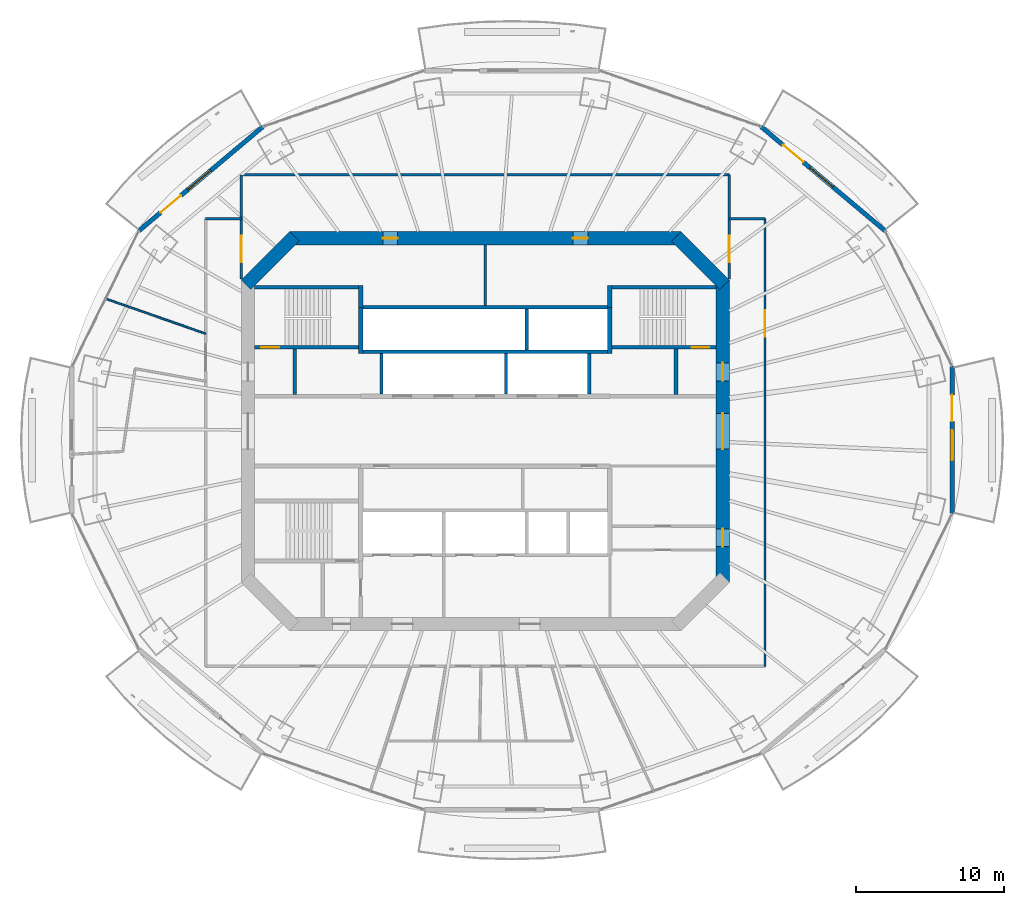
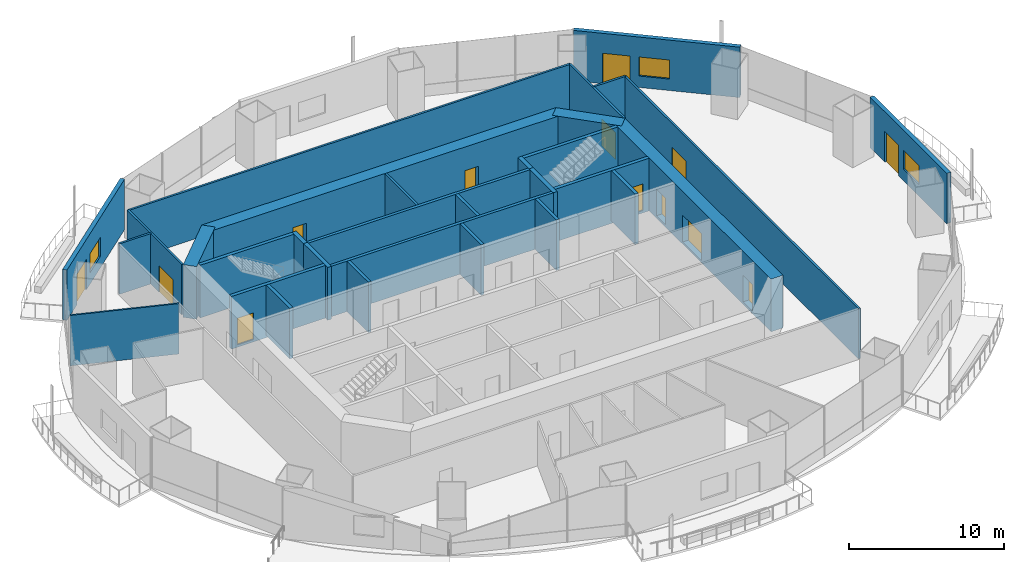
# One storey, part 12 of 19: 31 walls, 13 doors, 3 windows, 16 openings.
"""IFC4 building model written with IfcOpenShell, lengths in metres."""

from ifc_helpers import new_model, si_unit, direction, frame, frame_2d, origin, place, context, subcontext, project, spatial, rectangle, extrude, material, layer, layer_set, type_object, element, fill, save


model = new_model("IFC4")

# Units and contexts
model_context = context("Model", 3, precision=1e-05, world=origin(), true_north=direction((0.0, 1.0)))
body_context = subcontext(model_context, "Body", "Model", "MODEL_VIEW")
ifc_project = project(units=[si_unit("LENGTHUNIT", "METRE"), si_unit("AREAUNIT", "SQUARE_METRE"), si_unit("VOLUMEUNIT", "CUBIC_METRE"), si_unit("PLANEANGLEUNIT", "RADIAN"), si_unit("MASSUNIT", "GRAM", prefix="KILO")], contexts=[model_context])

# Site, building, storey
site_placement = place(None, origin())
site = spatial("IfcSite", under=ifc_project, at=site_placement, CompositionType="ELEMENT")
building_placement = place(site_placement, origin())
building = spatial("IfcBuilding", under=site, at=building_placement, Name="Marenthal Gate Tower", CompositionType="ELEMENT")
storey_placement = place(building_placement, frame((0.0, 0.0, 244.050048828125)))
storey = spatial("IfcBuildingStorey", under=building, at=storey_placement, Name="L54", CompositionType="ELEMENT", Elevation=244.050048828125)

# Wall, openings, doors
ifc_material_1 = material(Name="Concrete 60 MPa", Category="concrete")
ifc_layer_1 = layer(ifc_material_1, 0.89990234375)
ifc_layer_set_1 = layer_set([ifc_layer_1], Name="Core shear wall 900")
wall_type_1 = type_object("IfcWallType", Name="Core shear wall 900", PredefinedType="SHEAR", material=ifc_layer_set_1)
wall_1_placement = place(storey_placement, frame((16.0, -10.186279296875, -0.179931640625), z_axis=(0.0, 0.0, 1.0), x_axis=(0.0, 1.0, 0.0)))
wall_1 = element("IfcWall", 1, at=wall_1_placement, inside=storey, type_object=wall_type_1, Name="Core wall 02", PredefinedType="SHEAR", context=body_context, shape_type="SweptSolid", body=[
    extrude(rectangle(XDim=20.37255859375, YDim=0.89990234375, at=frame_2d((10.186279296875, 0.0))), origin(), (0.0, 0.0, 1.0), 4.14990234375),
])
opening_1_placement = place(wall_1_placement, frame((8.986328125, 0.0, 0.179931640625)))
opening_1 = element("IfcOpeningElement", 2, at=opening_1_placement, cuts=wall_1, Name="Opening D003.02", PredefinedType="OPENING", context=body_context, shape_type="SweptSolid", body=[
    extrude(rectangle(XDim=2.39990234375, YDim=2.10009765625, at=frame_2d((1.199951171875, 1.050048828125))), frame((0.0, 0.4599609375, 0.0), z_axis=(0.0, -1.0, 0.0), x_axis=(1.0, 0.0, 0.0)), (0.0, 0.0, 1.0), 0.919921875),
])
opening_2_placement = place(wall_1_placement, frame((13.58642578125, 0.0, 0.179931640625)))
opening_2 = element("IfcOpeningElement", 3, at=opening_2_placement, cuts=wall_1, Name="Opening D001.05", PredefinedType="OPENING", context=body_context, shape_type="SweptSolid", body=[
    extrude(rectangle(XDim=1.199951171875, YDim=2.10009765625, at=frame_2d((0.60009765625, 1.050048828125))), frame((0.0, 0.4599609375, 0.0), z_axis=(0.0, -1.0, 0.0), x_axis=(1.0, 0.0, 0.0)), (0.0, 0.0, 1.0), 0.919921875),
])
opening_3_placement = place(wall_1_placement, frame((2.39990234375, 0.0, 0.179931640625)))
opening_3 = element("IfcOpeningElement", 4, at=opening_3_placement, cuts=wall_1, Name="Opening D006.01", PredefinedType="OPENING", context=body_context, shape_type="SweptSolid", body=[
    extrude(rectangle(XDim=1.199951171875, YDim=2.10009765625, at=frame_2d((0.60009765625, 1.050048828125))), frame((0.0, 0.4599609375, 0.0), z_axis=(0.0, -1.0, 0.0), x_axis=(1.0, 0.0, 0.0)), (0.0, 0.0, 1.0), 0.919921875),
])
ifc_material_2 = material(Name="Steel fire door", Category="steel")
door_type_1 = type_object("IfcDoorType", Name="Double fire door FD 45 2400 x 2100", OperationType="DOUBLE_DOOR_SINGLE_SWING", PredefinedType="DOOR", material=ifc_material_2)
door_1_placement = place(opening_1_placement, origin())
door_1 = element("IfcDoor", 5, at=door_1_placement, inside=storey, type_object=door_type_1, Name="Door D003.02", OperationType="DOUBLE_DOOR_SINGLE_SWING", OverallHeight=2.10009765625, OverallWidth=2.39990234375, PredefinedType="DOOR", context=body_context, shape_type="SweptSolid", body=[
    extrude(rectangle(XDim=2.39990234375, YDim=2.10009765625, at=frame_2d((1.199951171875, 1.050048828125))), frame((0.0, 0.02490234375, 0.0), z_axis=(0.0, -1.0, 0.0), x_axis=(1.0, 0.0, 0.0)), (0.0, 0.0, 1.0), 0.050048828125),
])
fill(opening_1, door_1)
ifc_material_3 = material(Name="Steel fire door", Category="steel")
door_type_2 = type_object("IfcDoorType", Name="Fire door FD 45 1200 x 2100", OperationType="NOTDEFINED", PredefinedType="DOOR", material=ifc_material_3)
door_2_placement = place(opening_3_placement, origin())
door_2 = element("IfcDoor", 6, at=door_2_placement, inside=storey, type_object=door_type_2, Name="Door D006.01", OperationType="SINGLE_SWING_RIGHT", OverallHeight=2.10009765625, OverallWidth=1.199951171875, PredefinedType="DOOR", context=body_context, shape_type="SweptSolid", body=[
    extrude(rectangle(XDim=1.199951171875, YDim=2.10009765625, at=frame_2d((0.60009765625, 1.050048828125))), frame((0.0, 0.02490234375, 0.0), z_axis=(0.0, -1.0, 0.0), x_axis=(1.0, 0.0, 0.0)), (0.0, 0.0, 1.0), 0.050048828125),
])
fill(opening_3, door_2)
ifc_material_4 = material(Name="Steel fire door", Category="steel")
door_type_3 = type_object("IfcDoorType", Name="Fire door FD 90 1200 x 2100", OperationType="NOTDEFINED", PredefinedType="DOOR", material=ifc_material_4)
door_3_placement = place(opening_2_placement, origin())
door_3 = element("IfcDoor", 7, at=door_3_placement, inside=storey, type_object=door_type_3, Name="Door D001.05", OperationType="SINGLE_SWING_RIGHT", OverallHeight=2.10009765625, OverallWidth=1.199951171875, PredefinedType="DOOR", context=body_context, shape_type="SweptSolid", body=[
    extrude(rectangle(XDim=1.199951171875, YDim=2.10009765625, at=frame_2d((0.60009765625, 1.050048828125))), frame((0.0, 0.02490234375, 0.0), z_axis=(0.0, -1.0, 0.0), x_axis=(1.0, 0.0, 0.0)), (0.0, 0.0, 1.0), 0.050048828125),
])
fill(opening_2, door_3)

# Wall
wall_2_placement = place(storey_placement, frame((16.1318359375, 9.8681640625, -0.179931640625), z_axis=(0.0, 0.0, 1.0), x_axis=(-0.707106781187, 0.707106781187, 0.0)))
element("IfcWall", 8, at=wall_2_placement, inside=storey, type_object=wall_type_1, Name="Core wall 03", PredefinedType="SHEAR", context=body_context, shape_type="SweptSolid", body=[
    extrude(rectangle(XDim=4.615478515625, YDim=0.89990234375, at=frame_2d((2.3076171875, 0.0))), origin(), (0.0, 0.0, 1.0), 4.14990234375),
])

# Wall, openings, doors
wall_3_placement = place(storey_placement, frame((13.186279296875, 13.0, -0.179931640625), z_axis=(0.0, 0.0, 1.0), x_axis=(-1.0, 0.0, 0.0)))
wall_3 = element("IfcWall", 9, at=wall_3_placement, inside=storey, type_object=wall_type_1, Name="Core wall 04", PredefinedType="SHEAR", context=body_context, shape_type="SweptSolid", body=[
    extrude(rectangle(XDim=26.37255859375, YDim=0.89990234375, at=frame_2d((13.186279296875, 0.0))), origin(), (0.0, 0.0, 1.0), 4.14990234375),
])
opening_4_placement = place(wall_3_placement, frame((19.093505859375, 0.0, 0.179931640625)))
opening_4 = element("IfcOpeningElement", 10, at=opening_4_placement, cuts=wall_3, Name="Opening D005.03", PredefinedType="OPENING", context=body_context, shape_type="SweptSolid", body=[
    extrude(rectangle(XDim=1.0, YDim=2.10009765625, at=frame_2d((0.5, 1.050048828125))), frame((0.0, 0.4599609375, 0.0), z_axis=(0.0, -1.0, 0.0), x_axis=(1.0, 0.0, 0.0)), (0.0, 0.0, 1.0), 0.919921875),
])
opening_5_placement = place(wall_3_placement, frame((6.279296875, 0.0, 0.179931640625)))
opening_5 = element("IfcOpeningElement", 11, at=opening_5_placement, cuts=wall_3, Name="Opening D005.04", PredefinedType="OPENING", context=body_context, shape_type="SweptSolid", body=[
    extrude(rectangle(XDim=1.0, YDim=2.10009765625, at=frame_2d((0.5, 1.050048828125))), frame((0.0, 0.4599609375, 0.0), z_axis=(0.0, -1.0, 0.0), x_axis=(1.0, 0.0, 0.0)), (0.0, 0.0, 1.0), 0.919921875),
])
ifc_material_5 = material(Name="Steel fire door", Category="steel")
door_type_4 = type_object("IfcDoorType", Name="Fire door FD 45 1000 x 2100", OperationType="NOTDEFINED", PredefinedType="DOOR", material=ifc_material_5)
door_4_placement = place(opening_4_placement, origin())
door_4 = element("IfcDoor", 12, at=door_4_placement, inside=storey, type_object=door_type_4, Name="Door D005.03", OperationType="SINGLE_SWING_RIGHT", OverallHeight=2.10009765625, OverallWidth=1.0, PredefinedType="DOOR", context=body_context, shape_type="SweptSolid", body=[
    extrude(rectangle(XDim=1.0, YDim=2.10009765625, at=frame_2d((0.5, 1.050048828125))), frame((0.0, 0.02490234375, 0.0), z_axis=(0.0, -1.0, 0.0), x_axis=(1.0, 0.0, 0.0)), (0.0, 0.0, 1.0), 0.050048828125),
])
fill(opening_4, door_4)
door_5_placement = place(opening_5_placement, origin())
door_5 = element("IfcDoor", 13, at=door_5_placement, inside=storey, type_object=door_type_4, Name="Door D005.04", OperationType="SINGLE_SWING_RIGHT", OverallHeight=2.10009765625, OverallWidth=1.0, PredefinedType="DOOR", context=body_context, shape_type="SweptSolid", body=[
    extrude(rectangle(XDim=1.0, YDim=2.10009765625, at=frame_2d((0.5, 1.050048828125))), frame((0.0, 0.02490234375, 0.0), z_axis=(0.0, -1.0, 0.0), x_axis=(1.0, 0.0, 0.0)), (0.0, 0.0, 1.0), 0.050048828125),
])
fill(opening_5, door_5)

# Walls
wall_4_placement = place(storey_placement, frame((-12.8681640625, 13.1318359375, -0.179931640625), z_axis=(0.0, 0.0, 1.0), x_axis=(-0.707106781187, -0.707106781187, 0.0)))
element("IfcWall", 14, at=wall_4_placement, inside=storey, type_object=wall_type_1, Name="Core wall 05", PredefinedType="SHEAR", context=body_context, shape_type="SweptSolid", body=[
    extrude(rectangle(XDim=4.615478515625, YDim=0.89990234375, at=frame_2d((2.3076171875, 0.0))), origin(), (0.0, 0.0, 1.0), 4.14990234375),
])
ifc_material_6 = material(Name="Concrete 50 MPa", Category="concrete")
ifc_layer_2 = layer(ifc_material_6, 0.300048828125)
ifc_layer_set_2 = layer_set([ifc_layer_2], Name="Hoistway shear wall 300")
wall_type_2 = type_object("IfcWallType", Name="Hoistway shear wall 300", PredefinedType="SHEAR", material=ifc_layer_set_2)
for number, where, z_axis, x_axis, name in (
    (15, (-8.39990234375, 5.239990234375, -0.179931640625), (0.0, 0.0, 1.0), (0.0, 1.0, 0.0), "Hoistway wall 32"),
    (16, (8.39990234375, 5.239990234375, -0.179931640625), (0.0, 0.0, 1.0), (0.0, 1.0, 0.0), "Hoistway wall 46"),
):
    element("IfcWall", number, at=place(storey_placement, frame(where, z_axis=z_axis, x_axis=x_axis)), inside=storey, type_object=wall_type_2, Name=name, PredefinedType="SHEAR", context=body_context, shape_type="SweptSolid", body=[
        extrude(rectangle(XDim=3.110107421875, YDim=0.300048828125, at=frame_2d((1.55517578125, 0.0))), origin(), (0.0, 0.0, 1.0), 4.14990234375),
    ])
ifc_material_7 = material(Name="Concrete 40 MPa", Category="concrete")
ifc_layer_3 = layer(ifc_material_7, 0.219970703125)
ifc_layer_set_3 = layer_set([ifc_layer_3], Name="Hoistway wall 220")
wall_type_3 = type_object("IfcWallType", Name="Hoistway wall 220", PredefinedType="STANDARD", material=ifc_layer_set_3)
for number, where, z_axis, x_axis, name in (
    (17, (-8.25, 5.35009765625, 0.0), (0.0, 0.0, 1.0), (1.0, 0.0, 0.0), "Hoistway wall 22"),
    (18, (-8.25, 8.35009765625, 0.0), (0.0, 0.0, 1.0), (1.0, 0.0, 0.0), "Hoistway wall 25"),
):
    element("IfcWall", number, at=place(storey_placement, frame(where, z_axis=z_axis, x_axis=x_axis)), inside=storey, type_object=wall_type_3, Name=name, PredefinedType="STANDARD", context=body_context, shape_type="SweptSolid", body=[
        extrude(rectangle(XDim=16.5, YDim=0.219970703125, at=frame_2d((8.25, 0.0))), origin(), (0.0, 0.0, 1.0), 3.969970703125),
    ])
for number, where, z_axis, x_axis, name in (
    (19, (-7.0, 2.5, 0.0), (0.0, 0.0, 1.0), (0.0, 1.0, 0.0), "Hoistway wall 34"),
    (20, (1.39990234375, 2.5, 0.0), (0.0, 0.0, 1.0), (0.0, 1.0, 0.0), "Hoistway wall 38"),
):
    element("IfcWall", number, at=place(storey_placement, frame(where, z_axis=z_axis, x_axis=x_axis)), inside=storey, type_object=wall_type_3, Name=name, PredefinedType="STANDARD", context=body_context, shape_type="SweptSolid", body=[
        extrude(rectangle(XDim=2.739990234375, YDim=0.219970703125, at=frame_2d((1.3701171875, 0.0))), origin(), (0.0, 0.0, 1.0), 3.969970703125),
    ])
wall_5_placement = place(storey_placement, frame((2.800048828125, 5.4599609375, 0.0), z_axis=(0.0, 0.0, 1.0), x_axis=(0.0, 1.0, 0.0)))
element("IfcWall", 21, at=wall_5_placement, inside=storey, type_object=wall_type_3, Name="Hoistway wall 41", PredefinedType="STANDARD", context=body_context, shape_type="SweptSolid", body=[
    extrude(rectangle(XDim=2.780029296875, YDim=0.219970703125, at=frame_2d((1.39013671875, 0.0))), origin(), (0.0, 0.0, 1.0), 3.969970703125),
])
wall_6_placement = place(storey_placement, frame((7.0, 2.5, 0.0), z_axis=(0.0, 0.0, 1.0), x_axis=(0.0, 1.0, 0.0)))
element("IfcWall", 22, at=wall_6_placement, inside=storey, type_object=wall_type_3, Name="Hoistway wall 43", PredefinedType="STANDARD", context=body_context, shape_type="SweptSolid", body=[
    extrude(rectangle(XDim=2.739990234375, YDim=0.219970703125, at=frame_2d((1.3701171875, 0.0))), origin(), (0.0, 0.0, 1.0), 3.969970703125),
])
ifc_material_8 = material(Name="Gypsum board on steel studs", Category="steel")
ifc_layer_4 = layer(ifc_material_8, 0.1201171875)
ifc_layer_set_4 = layer_set([ifc_layer_4], Name="Partition 120")
wall_type_4 = type_object("IfcWallType", Name="Partition 120", PredefinedType="PARTITIONING", material=ifc_layer_set_4)
wall_7_placement = place(storey_placement, frame((-18.85009765625, 6.576171875, 0.0), z_axis=(0.0, 0.0, 1.0), x_axis=(-0.944186113953, 0.329412480362, 0.0)))
element("IfcWall", 23, at=wall_7_placement, inside=storey, type_object=wall_type_4, Name="Partition wall 53", PredefinedType="PARTITIONING", context=body_context, shape_type="SweptSolid", body=[
    extrude(rectangle(XDim=7.155029296875, YDim=0.1201171875, at=frame_2d((3.57763671875, 0.0))), origin(), (0.0, 0.0, 1.0), 3.969970703125),
])
ifc_material_9 = material(Name="Gypsum board on steel studs", Category="steel")
ifc_layer_5 = layer(ifc_material_9, 0.14990234375)
ifc_layer_set_5 = layer_set([ifc_layer_5], Name="Partition 150")
wall_type_5 = type_object("IfcWallType", Name="Partition 150", PredefinedType="PARTITIONING", material=ifc_layer_set_5)
wall_8_placement = place(storey_placement, frame((0.0, 8.4599609375, 0.0), z_axis=(0.0, 0.0, 1.0), x_axis=(0.0, 1.0, 0.0)))
element("IfcWall", 24, at=wall_8_placement, inside=storey, type_object=wall_type_5, Name="Partition wall 37", PredefinedType="PARTITIONING", context=body_context, shape_type="SweptSolid", body=[
    extrude(rectangle(XDim=4.090087890625, YDim=0.14990234375, at=frame_2d((2.044921875, 0.0))), origin(), (0.0, 0.0, 1.0), 3.969970703125),
])
wall_9_placement = place(storey_placement, frame((-18.85009765625, 14.325927734375, 0.0), z_axis=(0.0, 0.0, 1.0), x_axis=(1.0, 0.0, 0.0)))
element("IfcWall", 25, at=wall_9_placement, inside=storey, type_object=wall_type_5, Name="Partition wall 54", PredefinedType="PARTITIONING", context=body_context, shape_type="SweptSolid", body=[
    extrude(rectangle(XDim=2.400146484375, YDim=0.14990234375, at=frame_2d((1.2001953125, 0.0))), origin(), (0.0, 0.0, 1.0), 3.969970703125),
])

# Wall, opening, door
wall_10_placement = place(storey_placement, frame((-16.449951171875, 10.25, 0.0), z_axis=(0.0, 0.0, 1.0), x_axis=(0.0, 1.0, 0.0)))
wall_10 = element("IfcWall", 26, at=wall_10_placement, inside=storey, type_object=wall_type_5, Name="Partition wall 55", PredefinedType="PARTITIONING", context=body_context, shape_type="SweptSolid", body=[
    extrude(rectangle(XDim=7.03662109375, YDim=0.14990234375, at=frame_2d((3.518310546875, 0.0))), origin(), (0.0, 0.0, 1.0), 3.969970703125),
])
opening_6_placement = place(wall_10_placement, frame((1.137939453125, 0.0, 0.0)))
opening_6 = element("IfcOpeningElement", 27, at=opening_6_placement, cuts=wall_10, Name="Opening D014.03", PredefinedType="OPENING", context=body_context, shape_type="SweptSolid", body=[
    extrude(rectangle(XDim=1.800048828125, YDim=2.10009765625, at=frame_2d((0.89990234375, 1.050048828125))), frame((0.0, 0.0849609375, 0.0), z_axis=(0.0, -1.0, 0.0), x_axis=(1.0, 0.0, 0.0)), (0.0, 0.0, 1.0), 0.169921875),
])
ifc_material_10 = material(Name="Timber door", Category="wood")
door_type_5 = type_object("IfcDoorType", Name="Double door 1800 x 2100", OperationType="DOUBLE_DOOR_SINGLE_SWING", PredefinedType="DOOR", material=ifc_material_10)
door_6_placement = place(opening_6_placement, origin())
door_6 = element("IfcDoor", 28, at=door_6_placement, inside=storey, type_object=door_type_5, Name="Door D014.03", OperationType="DOUBLE_DOOR_SINGLE_SWING", OverallHeight=2.10009765625, OverallWidth=1.800048828125, PredefinedType="DOOR", context=body_context, shape_type="SweptSolid", body=[
    extrude(rectangle(XDim=1.800048828125, YDim=2.10009765625, at=frame_2d((0.89990234375, 1.050048828125))), frame((0.0, 0.02490234375, 0.0), z_axis=(0.0, -1.0, 0.0), x_axis=(1.0, 0.0, 0.0)), (0.0, 0.0, 1.0), 0.050048828125),
])
fill(opening_6, door_6)

# Wall
wall_11_placement = place(storey_placement, frame((-16.449951171875, 17.28662109375, 0.0), z_axis=(0.0, 0.0, 1.0), x_axis=(1.0, 0.0, 0.0)))
element("IfcWall", 29, at=wall_11_placement, inside=storey, type_object=wall_type_5, Name="Partition wall 56", PredefinedType="PARTITIONING", context=body_context, shape_type="SweptSolid", body=[
    extrude(rectangle(XDim=32.89990234375, YDim=0.14990234375, at=frame_2d((16.449951171875, 0.0))), origin(), (0.0, 0.0, 1.0), 3.969970703125),
])

# Wall, opening, door
wall_12_placement = place(storey_placement, frame((16.449951171875, 10.25, 0.0), z_axis=(0.0, 0.0, 1.0), x_axis=(0.0, 1.0, 0.0)))
wall_12 = element("IfcWall", 30, at=wall_12_placement, inside=storey, type_object=wall_type_5, Name="Partition wall 64", PredefinedType="PARTITIONING", context=body_context, shape_type="SweptSolid", body=[
    extrude(rectangle(XDim=7.03662109375, YDim=0.14990234375, at=frame_2d((3.518310546875, 0.0))), origin(), (0.0, 0.0, 1.0), 3.969970703125),
])
opening_7_placement = place(wall_12_placement, frame((1.137939453125, 0.0, 0.0)))
opening_7 = element("IfcOpeningElement", 31, at=opening_7_placement, cuts=wall_12, Name="Opening D014.04", PredefinedType="OPENING", context=body_context, shape_type="SweptSolid", body=[
    extrude(rectangle(XDim=1.800048828125, YDim=2.10009765625, at=frame_2d((0.89990234375, 1.050048828125))), frame((0.0, 0.0849609375, 0.0), z_axis=(0.0, -1.0, 0.0), x_axis=(1.0, 0.0, 0.0)), (0.0, 0.0, 1.0), 0.169921875),
])
door_7_placement = place(opening_7_placement, origin())
door_7 = element("IfcDoor", 32, at=door_7_placement, inside=storey, type_object=door_type_5, Name="Door D014.04", OperationType="DOUBLE_DOOR_SINGLE_SWING", OverallHeight=2.10009765625, OverallWidth=1.800048828125, PredefinedType="DOOR", context=body_context, shape_type="SweptSolid", body=[
    extrude(rectangle(XDim=1.800048828125, YDim=2.10009765625, at=frame_2d((0.89990234375, 1.050048828125))), frame((0.0, 0.02490234375, 0.0), z_axis=(0.0, -1.0, 0.0), x_axis=(1.0, 0.0, 0.0)), (0.0, 0.0, 1.0), 0.050048828125),
])
fill(opening_7, door_7)

# Wall
wall_13_placement = place(storey_placement, frame((16.449951171875, 14.325927734375, 0.0), z_axis=(0.0, 0.0, 1.0), x_axis=(1.0, 0.0, 0.0)))
element("IfcWall", 33, at=wall_13_placement, inside=storey, type_object=wall_type_5, Name="Partition wall 65", PredefinedType="PARTITIONING", context=body_context, shape_type="SweptSolid", body=[
    extrude(rectangle(XDim=2.400146484375, YDim=0.14990234375, at=frame_2d((1.2001953125, 0.0))), origin(), (0.0, 0.0, 1.0), 3.969970703125),
])

# Wall, opening, door
wall_14_placement = place(storey_placement, frame((18.85009765625, 14.325927734375, 0.0), z_axis=(0.0, 0.0, 1.0), x_axis=(0.0, -1.0, 0.0)))
wall_14 = element("IfcWall", 34, at=wall_14_placement, inside=storey, type_object=wall_type_5, Name="Partition wall 67", PredefinedType="PARTITIONING", context=body_context, shape_type="SweptSolid", body=[
    extrude(rectangle(XDim=30.176025390625, YDim=0.14990234375, at=frame_2d((15.087890625, 0.0))), origin(), (0.0, 0.0, 1.0), 3.969970703125),
])
opening_8_placement = place(wall_14_placement, frame((6.156982421875, 0.0, 0.0)))
opening_8 = element("IfcOpeningElement", 35, at=opening_8_placement, cuts=wall_14, Name="Opening D014.02", PredefinedType="OPENING", context=body_context, shape_type="SweptSolid", body=[
    extrude(rectangle(XDim=1.800048828125, YDim=2.10009765625, at=frame_2d((0.89990234375, 1.050048828125))), frame((0.0, 0.0849609375, 0.0), z_axis=(0.0, -1.0, 0.0), x_axis=(1.0, 0.0, 0.0)), (0.0, 0.0, 1.0), 0.169921875),
])
door_8_placement = place(opening_8_placement, origin())
door_8 = element("IfcDoor", 36, at=door_8_placement, inside=storey, type_object=door_type_5, Name="Door D014.02", OperationType="DOUBLE_DOOR_SINGLE_SWING", OverallHeight=2.10009765625, OverallWidth=1.800048828125, PredefinedType="DOOR", context=body_context, shape_type="SweptSolid", body=[
    extrude(rectangle(XDim=1.800048828125, YDim=2.10009765625, at=frame_2d((0.89990234375, 1.050048828125))), frame((0.0, 0.02490234375, 0.0), z_axis=(0.0, -1.0, 0.0), x_axis=(1.0, 0.0, 0.0)), (0.0, 0.0, 1.0), 0.050048828125),
])
fill(opening_8, door_8)

# Walls
ifc_material_11 = material(Name="Concrete 40 MPa", Category="concrete")
ifc_layer_6 = layer(ifc_material_11, 0.25)
ifc_layer_set_6 = layer_set([ifc_layer_6], Name="Stair enclosure wall 250")
wall_type_6 = type_object("IfcWallType", Name="Stair enclosure wall 250", PredefinedType="STANDARD", material=ifc_layer_set_6)
for number, where, z_axis, x_axis, name in (
    (37, (-12.85009765625, 2.47509765625, 0.0), (0.0, 0.0, 1.0), (0.0, 1.0, 0.0), "Stair wall 28"),
    (38, (12.85009765625, 2.47509765625, 0.0), (0.0, 0.0, 1.0), (0.0, 1.0, 0.0), "Stair wall 48"),
):
    element("IfcWall", number, at=place(storey_placement, frame(where, z_axis=z_axis, x_axis=x_axis)), inside=storey, type_object=wall_type_6, Name=name, PredefinedType="STANDARD", context=body_context, shape_type="SweptSolid", body=[
        extrude(rectangle(XDim=3.0498046875, YDim=0.25, at=frame_2d((1.52490234375, 0.0))), origin(), (0.0, 0.0, 1.0), 3.969970703125),
    ])

# Wall, opening, door
ifc_material_12 = material(Name="Concrete 50 MPa", Category="concrete")
ifc_layer_7 = layer(ifc_material_12, 0.25)
ifc_layer_set_7 = layer_set([ifc_layer_7], Name="Stair shear wall 250")
wall_type_7 = type_object("IfcWallType", Name="Stair shear wall 250", PredefinedType="SHEAR", material=ifc_layer_set_7)
wall_15_placement = place(storey_placement, frame((-15.550048828125, 5.64990234375, -0.179931640625), z_axis=(0.0, 0.0, 1.0), x_axis=(1.0, 0.0, 0.0)))
wall_15 = element("IfcWall", 39, at=wall_15_placement, inside=storey, type_object=wall_type_7, Name="Stair wall 23", PredefinedType="SHEAR", context=body_context, shape_type="SweptSolid", body=[
    extrude(rectangle(XDim=7.0, YDim=0.25, at=frame_2d((3.5, 0.0))), origin(), (0.0, 0.0, 1.0), 4.14990234375),
])
opening_9_placement = place(wall_15_placement, frame((0.449951171875, 0.0, 0.179931640625)))
opening_9 = element("IfcOpeningElement", 40, at=opening_9_placement, cuts=wall_15, Name="Opening D001.01", PredefinedType="OPENING", context=body_context, shape_type="SweptSolid", body=[
    extrude(rectangle(XDim=1.199951171875, YDim=2.10009765625, at=frame_2d((0.60009765625, 1.050048828125))), frame((0.0, 0.135009765625, 0.0), z_axis=(0.0, -1.0, 0.0), x_axis=(1.0, 0.0, 0.0)), (0.0, 0.0, 1.0), 0.27001953125),
])
door_9_placement = place(opening_9_placement, origin())
door_9 = element("IfcDoor", 41, at=door_9_placement, inside=storey, type_object=door_type_3, Name="Door D001.01", OperationType="SINGLE_SWING_RIGHT", OverallHeight=2.10009765625, OverallWidth=1.199951171875, PredefinedType="DOOR", context=body_context, shape_type="SweptSolid", body=[
    extrude(rectangle(XDim=1.199951171875, YDim=2.10009765625, at=frame_2d((0.60009765625, 1.050048828125))), frame((0.0, 0.02490234375, 0.0), z_axis=(0.0, -1.0, 0.0), x_axis=(1.0, 0.0, 0.0)), (0.0, 0.0, 1.0), 0.050048828125),
])
fill(opening_9, door_9)

wall_16_placement = place(storey_placement, frame((8.550048828125, 5.64990234375, -0.179931640625), z_axis=(0.0, 0.0, 1.0), x_axis=(1.0, 0.0, 0.0)))
wall_16 = element("IfcWall", 42, at=wall_16_placement, inside=storey, type_object=wall_type_7, Name="Stair wall 24", PredefinedType="SHEAR", context=body_context, shape_type="SweptSolid", body=[
    extrude(rectangle(XDim=7.0, YDim=0.25, at=frame_2d((3.5, 0.0))), origin(), (0.0, 0.0, 1.0), 4.14990234375),
])
opening_10_placement = place(wall_16_placement, frame((5.35009765625, 0.0, 0.179931640625)))
opening_10 = element("IfcOpeningElement", 43, at=opening_10_placement, cuts=wall_16, Name="Opening D001.02", PredefinedType="OPENING", context=body_context, shape_type="SweptSolid", body=[
    extrude(rectangle(XDim=1.199951171875, YDim=2.10009765625, at=frame_2d((0.60009765625, 1.050048828125))), frame((0.0, 0.135009765625, 0.0), z_axis=(0.0, -1.0, 0.0), x_axis=(1.0, 0.0, 0.0)), (0.0, 0.0, 1.0), 0.27001953125),
])
door_10_placement = place(opening_10_placement, origin())
door_10 = element("IfcDoor", 44, at=door_10_placement, inside=storey, type_object=door_type_3, Name="Door D001.02", OperationType="SINGLE_SWING_RIGHT", OverallHeight=2.10009765625, OverallWidth=1.199951171875, PredefinedType="DOOR", context=body_context, shape_type="SweptSolid", body=[
    extrude(rectangle(XDim=1.199951171875, YDim=2.10009765625, at=frame_2d((0.60009765625, 1.050048828125))), frame((0.0, 0.02490234375, 0.0), z_axis=(0.0, -1.0, 0.0), x_axis=(1.0, 0.0, 0.0)), (0.0, 0.0, 1.0), 0.050048828125),
])
fill(opening_10, door_10)

# Walls
for number, where, z_axis, x_axis, name in (
    (45, (-15.550048828125, 9.699951171875, -0.179931640625), (0.0, 0.0, 1.0), (1.0, 0.0, 0.0), "Stair wall 26"),
    (46, (8.550048828125, 9.699951171875, -0.179931640625), (0.0, 0.0, 1.0), (1.0, 0.0, 0.0), "Stair wall 27"),
):
    element("IfcWall", number, at=place(storey_placement, frame(where, z_axis=z_axis, x_axis=x_axis)), inside=storey, type_object=wall_type_7, Name=name, PredefinedType="SHEAR", context=body_context, shape_type="SweptSolid", body=[
        extrude(rectangle(XDim=7.0, YDim=0.25, at=frame_2d((3.5, 0.0))), origin(), (0.0, 0.0, 1.0), 4.14990234375),
    ])
ifc_material_13 = material(Name="Concrete 50 MPa", Category="concrete")
ifc_layer_8 = layer(ifc_material_13, 0.300048828125)
ifc_layer_set_8 = layer_set([ifc_layer_8], Name="Stair shear wall 300")
wall_type_8 = type_object("IfcWallType", Name="Stair shear wall 300", PredefinedType="SHEAR", material=ifc_layer_set_8)
for number, where, z_axis, x_axis, name in (
    (47, (-8.39990234375, 8.35009765625, -0.179931640625), (0.0, 0.0, 1.0), (0.0, 1.0, 0.0), "Stair wall 33"),
    (48, (8.39990234375, 8.35009765625, -0.179931640625), (0.0, 0.0, 1.0), (0.0, 1.0, 0.0), "Stair wall 47"),
):
    element("IfcWall", number, at=place(storey_placement, frame(where, z_axis=z_axis, x_axis=x_axis)), inside=storey, type_object=wall_type_8, Name=name, PredefinedType="SHEAR", context=body_context, shape_type="SweptSolid", body=[
        extrude(rectangle(XDim=1.474853515625, YDim=0.300048828125, at=frame_2d((0.7373046875, 0.0))), origin(), (0.0, 0.0, 1.0), 4.14990234375),
    ])

# Wall, openings, door, window
ifc_material_14 = material(Name="Terracotta cladding on insulated concrete-block backing", Category="masonry")
ifc_layer_9 = layer(ifc_material_14, 0.300048828125)
ifc_layer_set_9 = layer_set([ifc_layer_9], Name="Terracotta facade wall 300")
wall_type_9 = type_object("IfcWallType", Name="Terracotta facade wall 300", PredefinedType="SOLIDWALL", material=ifc_layer_set_9)
wall_17_placement = place(storey_placement, frame((26.94775390625, 13.510986328125, 0.0), z_axis=(0.0, 0.0, 1.0), x_axis=(-0.765786072148, 0.643095398603, 0.0)))
wall_17 = element("IfcWall", 49, at=wall_17_placement, inside=storey, type_object=wall_type_9, Name="Terracotta facade wall L54 bay 2", PredefinedType="SOLIDWALL", context=body_context, shape_type="SweptSolid", body=[
    extrude(rectangle(XDim=10.896728515625, YDim=0.300048828125, at=frame_2d((5.4482421875, 0.0))), origin(), (0.0, 0.0, 1.0), 3.969970703125),
])
opening_11_placement = place(wall_17_placement, frame((7.19677734375, 0.0, 0.0)))
opening_11 = element("IfcOpeningElement", 50, at=opening_11_placement, cuts=wall_17, Name="Opening BD-L54-02", PredefinedType="OPENING", context=body_context, shape_type="SweptSolid", body=[
    extrude(rectangle(XDim=1.800048828125, YDim=2.39990234375, at=frame_2d((0.89990234375, 1.199951171875))), frame((0.0, 0.16015625, 0.0), z_axis=(0.0, -1.0, 0.0), x_axis=(1.0, 0.0, 0.0)), (0.0, 0.0, 1.0), 0.320068359375),
])
opening_12_placement = place(wall_17_placement, frame((4.5966796875, 0.0, 0.89990234375)))
opening_12 = element("IfcOpeningElement", 51, at=opening_12_placement, cuts=wall_17, Name="Opening WN2-L54-02", PredefinedType="OPENING", context=body_context, shape_type="SweptSolid", body=[
    extrude(rectangle(XDim=2.0, YDim=1.5, at=frame_2d((1.0, 0.75))), frame((0.0, 0.16015625, 0.0), z_axis=(0.0, -1.0, 0.0), x_axis=(1.0, 0.0, 0.0)), (0.0, 0.0, 1.0), 0.320068359375),
])
ifc_material_15 = material(Name="Aluminium and glass", Category="aluminium")
door_type_6 = type_object("IfcDoorType", Name="Balcony door 1800x2400", OperationType="DOUBLE_DOOR_SINGLE_SWING", PredefinedType="DOOR", material=ifc_material_15)
door_11_placement = place(opening_11_placement, origin())
door_11 = element("IfcDoor", 52, at=door_11_placement, inside=storey, type_object=door_type_6, Name="Balcony door L54 bay 2", OperationType="SINGLE_SWING_LEFT", OverallHeight=2.39990234375, OverallWidth=1.800048828125, PredefinedType="DOOR", context=body_context, shape_type="SweptSolid", body=[
    extrude(rectangle(XDim=1.800048828125, YDim=2.39990234375, at=frame_2d((0.89990234375, 1.199951171875))), frame((0.0, 0.02490234375, 0.0), z_axis=(0.0, -1.0, 0.0), x_axis=(1.0, 0.0, 0.0)), (0.0, 0.0, 1.0), 0.050048828125),
])
fill(opening_11, door_11)
ifc_material_16 = material(Name="Aluminium and glass", Category="aluminium")
window_type = type_object("IfcWindowType", Name="Window 2000x1500", PartitioningType="DOUBLE_PANEL_VERTICAL", PredefinedType="WINDOW", material=ifc_material_16)
window_1_placement = place(opening_12_placement, origin())
window_1 = element("IfcWindow", 53, at=window_1_placement, inside=storey, type_object=window_type, Name="Window L54 bay 2", OverallHeight=1.5, OverallWidth=2.0, PartitioningType="SINGLE_PANEL", PredefinedType="WINDOW", context=body_context, shape_type="SweptSolid", body=[
    extrude(rectangle(XDim=2.0, YDim=1.5, at=frame_2d((1.0, 0.75))), frame((0.0, 0.030029296875, 0.0), z_axis=(0.0, -1.0, 0.0), x_axis=(1.0, 0.0, 0.0)), (0.0, 0.0, 1.0), 0.06005859375),
])
fill(opening_12, window_1)

wall_18_placement = place(storey_placement, frame((-15.003173828125, 20.5185546875, 0.0), z_axis=(0.0, 0.0, 1.0), x_axis=(-0.765786072148, -0.643095398603, 0.0)))
wall_18 = element("IfcWall", 54, at=wall_18_placement, inside=storey, type_object=wall_type_9, Name="Terracotta facade wall L54 bay 6", PredefinedType="SOLIDWALL", context=body_context, shape_type="SweptSolid", body=[
    extrude(rectangle(XDim=10.896728515625, YDim=0.300048828125, at=frame_2d((5.4482421875, 0.0))), origin(), (0.0, 0.0, 1.0), 3.969970703125),
])
opening_13_placement = place(wall_18_placement, frame((7.19677734375, 0.0, 0.0)))
opening_13 = element("IfcOpeningElement", 55, at=opening_13_placement, cuts=wall_18, Name="Opening BD-L54-06", PredefinedType="OPENING", context=body_context, shape_type="SweptSolid", body=[
    extrude(rectangle(XDim=1.800048828125, YDim=2.39990234375, at=frame_2d((0.89990234375, 1.199951171875))), frame((0.0, 0.16015625, 0.0), z_axis=(0.0, -1.0, 0.0), x_axis=(1.0, 0.0, 0.0)), (0.0, 0.0, 1.0), 0.320068359375),
])
opening_14_placement = place(wall_18_placement, frame((4.5966796875, 0.0, 0.89990234375)))
opening_14 = element("IfcOpeningElement", 56, at=opening_14_placement, cuts=wall_18, Name="Opening WN2-L54-06", PredefinedType="OPENING", context=body_context, shape_type="SweptSolid", body=[
    extrude(rectangle(XDim=2.0, YDim=1.5, at=frame_2d((1.0, 0.75))), frame((0.0, 0.16015625, 0.0), z_axis=(0.0, -1.0, 0.0), x_axis=(1.0, 0.0, 0.0)), (0.0, 0.0, 1.0), 0.320068359375),
])
door_12_placement = place(opening_13_placement, origin())
door_12 = element("IfcDoor", 57, at=door_12_placement, inside=storey, type_object=door_type_6, Name="Balcony door L54 bay 6", OperationType="SINGLE_SWING_LEFT", OverallHeight=2.39990234375, OverallWidth=1.800048828125, PredefinedType="DOOR", context=body_context, shape_type="SweptSolid", body=[
    extrude(rectangle(XDim=1.800048828125, YDim=2.39990234375, at=frame_2d((0.89990234375, 1.199951171875))), frame((0.0, 0.02490234375, 0.0), z_axis=(0.0, -1.0, 0.0), x_axis=(1.0, 0.0, 0.0)), (0.0, 0.0, 1.0), 0.050048828125),
])
fill(opening_13, door_12)
window_2_placement = place(opening_14_placement, origin())
window_2 = element("IfcWindow", 58, at=window_2_placement, inside=storey, type_object=window_type, Name="Window L54 bay 6", OverallHeight=1.5, OverallWidth=2.0, PartitioningType="SINGLE_PANEL", PredefinedType="WINDOW", context=body_context, shape_type="SweptSolid", body=[
    extrude(rectangle(XDim=2.0, YDim=1.5, at=frame_2d((1.0, 0.75))), frame((0.0, 0.030029296875, 0.0), z_axis=(0.0, -1.0, 0.0), x_axis=(1.0, 0.0, 0.0)), (0.0, 0.0, 1.0), 0.06005859375),
])
fill(opening_14, window_2)

wall_19_placement = place(storey_placement, frame((31.4638671875, -5.55517578125, 0.0), z_axis=(0.0, 0.0, 1.0), x_axis=(0.0, 1.0, 0.0)))
wall_19 = element("IfcWall", 59, at=wall_19_placement, inside=storey, type_object=wall_type_9, Name="Terracotta facade wall L54 bay 16", PredefinedType="SOLIDWALL", context=body_context, shape_type="SweptSolid", body=[
    extrude(rectangle(XDim=9.91015625, YDim=0.300048828125, at=frame_2d((4.955078125, 0.0))), origin(), (0.0, 0.0, 1.0), 3.969970703125),
])
opening_15_placement = place(wall_19_placement, frame((6.210205078125, 0.0, 0.0)))
opening_15 = element("IfcOpeningElement", 60, at=opening_15_placement, cuts=wall_19, Name="Opening BD-L54-16", PredefinedType="OPENING", context=body_context, shape_type="SweptSolid", body=[
    extrude(rectangle(XDim=1.800048828125, YDim=2.39990234375, at=frame_2d((0.89990234375, 1.199951171875))), frame((0.0, 0.16015625, 0.0), z_axis=(0.0, -1.0, 0.0), x_axis=(1.0, 0.0, 0.0)), (0.0, 0.0, 1.0), 0.320068359375),
])
opening_16_placement = place(wall_19_placement, frame((3.610107421875, 0.0, 0.89990234375)))
opening_16 = element("IfcOpeningElement", 61, at=opening_16_placement, cuts=wall_19, Name="Opening WN2-L54-16", PredefinedType="OPENING", context=body_context, shape_type="SweptSolid", body=[
    extrude(rectangle(XDim=2.0, YDim=1.5, at=frame_2d((1.0, 0.75))), frame((0.0, 0.16015625, 0.0), z_axis=(0.0, -1.0, 0.0), x_axis=(1.0, 0.0, 0.0)), (0.0, 0.0, 1.0), 0.320068359375),
])
door_13_placement = place(opening_15_placement, origin())
door_13 = element("IfcDoor", 62, at=door_13_placement, inside=storey, type_object=door_type_6, Name="Balcony door L54 bay 16", OperationType="SINGLE_SWING_LEFT", OverallHeight=2.39990234375, OverallWidth=1.800048828125, PredefinedType="DOOR", context=body_context, shape_type="SweptSolid", body=[
    extrude(rectangle(XDim=1.800048828125, YDim=2.39990234375, at=frame_2d((0.89990234375, 1.199951171875))), frame((0.0, 0.02490234375, 0.0), z_axis=(0.0, -1.0, 0.0), x_axis=(1.0, 0.0, 0.0)), (0.0, 0.0, 1.0), 0.050048828125),
])
fill(opening_15, door_13)
window_3_placement = place(opening_16_placement, origin())
window_3 = element("IfcWindow", 63, at=window_3_placement, inside=storey, type_object=window_type, Name="Window L54 bay 16", OverallHeight=1.5, OverallWidth=2.0, PartitioningType="SINGLE_PANEL", PredefinedType="WINDOW", context=body_context, shape_type="SweptSolid", body=[
    extrude(rectangle(XDim=2.0, YDim=1.5, at=frame_2d((1.0, 0.75))), frame((0.0, 0.030029296875, 0.0), z_axis=(0.0, -1.0, 0.0), x_axis=(1.0, 0.0, 0.0)), (0.0, 0.0, 1.0), 0.06005859375),
])
fill(opening_16, window_3)

save(model, "model.ifc")
